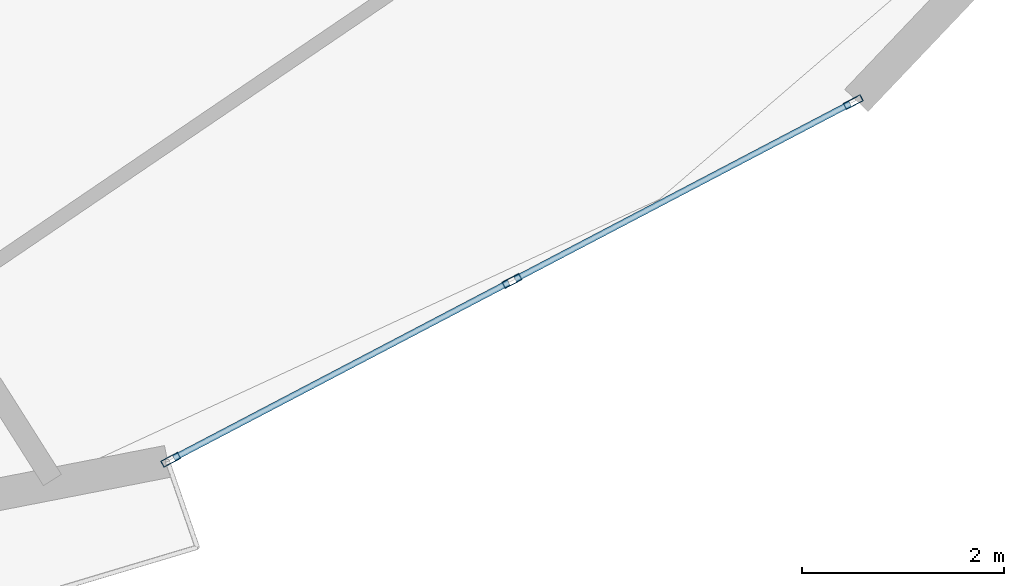
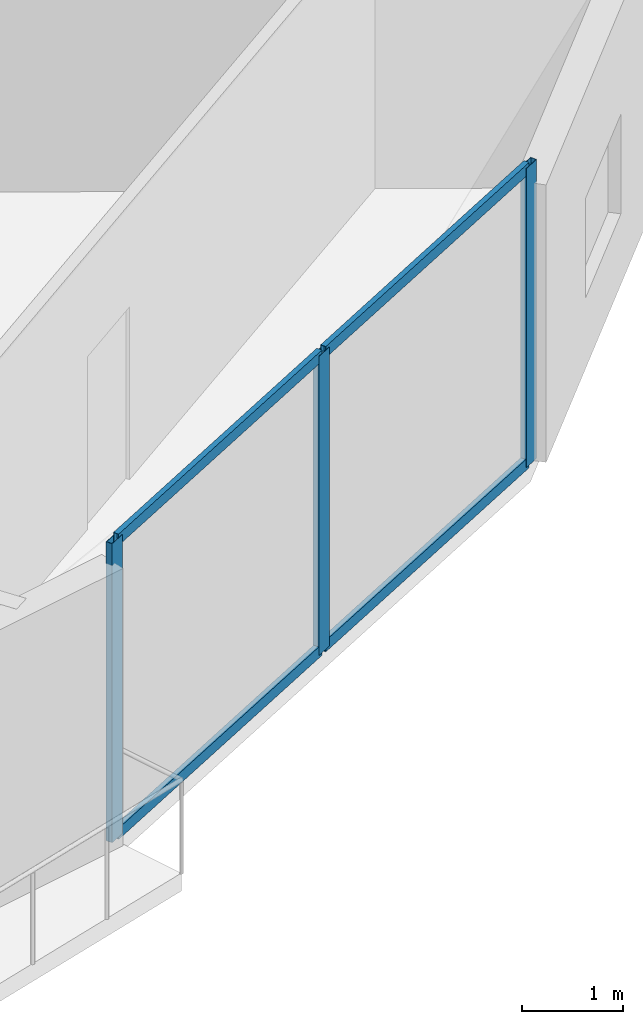
# One storey, part 8 of 20: 7 members, 1 element without a shape of its own.
"""IFC4 building model written with IfcOpenShell, lengths in metres."""

from ifc_helpers import new_model, si_unit, direction, frame, origin, origin_2d, place, context, subcontext, project, spatial, hollow_rectangle, extrude, source, transform, mapped, material, layer, layer_set, material_profile, profile_set, type_object, element, aggregate, save


model = new_model("IFC4")

# Units and contexts
model_context = context("Model", 3, precision=1e-05, world=origin(), true_north=direction((0.0, 1.0)))
body_context = subcontext(model_context, "Body", "Model", "MODEL_VIEW")
ifc_project = project(units=[si_unit("LENGTHUNIT", "METRE"), si_unit("AREAUNIT", "SQUARE_METRE"), si_unit("VOLUMEUNIT", "CUBIC_METRE"), si_unit("PLANEANGLEUNIT", "RADIAN"), si_unit("MASSUNIT", "GRAM", prefix="KILO")], contexts=[model_context])

# Site, building, storey
site_placement = place(None, origin())
site = spatial("IfcSite", under=ifc_project, at=site_placement, CompositionType="ELEMENT")
building_placement = place(site_placement, origin())
building = spatial("IfcBuilding", under=site, at=building_placement, Name="Solvirekh Grand Hotel", CompositionType="ELEMENT")
storey_placement = place(building_placement, frame((0.0, 0.0, 50.0)))
storey = spatial("IfcBuildingStorey", under=building, at=storey_placement, Name="L11", CompositionType="ELEMENT", Elevation=50.0)

# Curtain wall, members
ifc_material = material(Name="Anodized Bronze Aluminium 6063-T6", Category="aluminium")
ifc_layer = layer(ifc_material, 0.18994140625)
ifc_layer_set = layer_set([ifc_layer], Name="Anodized Bronze Aluminium 6063-T6")
curtain_wall_type = type_object("IfcCurtainWallType", Name="CW_Sys2_LowZoneFlushBronzeCW", PredefinedType="NOTDEFINED", material=ifc_layer_set)
curtain_wall_placement = place(storey_placement, origin())
curtain_wall = element("IfcCurtainWall", 1, at=curtain_wall_placement, inside=storey, type_object=curtain_wall_type, Name="L11 unitised bronze-glass curtain wall CW-L11-C18", PredefinedType="NOTDEFINED")
ifc_material_profile_1 = material_profile(ifc_material, hollow_rectangle(XDim=0.070068359375, YDim=0.18994140625, WallThickness=0.0048828125, at=origin_2d()), Name="ALU RHS 190X70X5")
ifc_profile_set_1 = profile_set([ifc_material_profile_1], Name="Anodized Bronze Aluminium 6063-T6")
member_type_1 = type_object("IfcMemberType", Name="CWMullion_Sys2", PredefinedType="MULLION", material=ifc_profile_set_1)
shared_shape_1 = source(origin(), body_context, "Body", "SweptSolid", [
    extrude(hollow_rectangle(XDim=0.070068359375, YDim=0.18994140625, WallThickness=0.0048828125, at=origin_2d()), origin(), (0.0, 0.0, 1.0), 3.60009765625),
])
member_1_placement = place(storey_placement, frame((13.177001953125, -20.5927734375, 0.0), z_axis=(0.0, 0.0, 1.0), x_axis=(-0.464108833066, 0.885778183898, 0.0)))
member_1 = element("IfcMember", 2, at=member_1_placement, type_object=member_type_1, Name="U02 mullion 1", PredefinedType="MULLION", context=body_context, shape_type="MappedRepresentation", body=[
    mapped(shared_shape_1, transform((0.0, 0.0, 0.0), x_axis=(1.0, 0.0, 0.0), y_axis=(0.0, 1.0, 0.0), z_axis=(0.0, 0.0, 1.0), scale=1.0)),
])
member_2_placement = place(storey_placement, frame((16.55859375, -18.821044921875, 0.0), z_axis=(0.0, 0.0, 1.0), x_axis=(-0.464108833066, 0.885778183898, 0.0)))
member_2 = element("IfcMember", 3, at=member_2_placement, type_object=member_type_1, Name="U02 mullion 2", PredefinedType="MULLION", context=body_context, shape_type="MappedRepresentation", body=[
    mapped(shared_shape_1, transform((0.0, 0.0, 0.0), x_axis=(1.0, 0.0, 0.0), y_axis=(0.0, 1.0, 0.0), z_axis=(0.0, 0.0, 1.0), scale=1.0)),
])
member_3_placement = place(storey_placement, frame((19.93994140625, -17.04931640625, 0.0), z_axis=(0.0, 0.0, 1.0), x_axis=(-0.464108833066, 0.885778183898, 0.0)))
member_3 = element("IfcMember", 4, at=member_3_placement, type_object=member_type_1, Name="U02 mullion 3", PredefinedType="MULLION", context=body_context, shape_type="MappedRepresentation", body=[
    mapped(shared_shape_1, transform((0.0, 0.0, 0.0), x_axis=(1.0, 0.0, 0.0), y_axis=(0.0, 1.0, 0.0), z_axis=(0.0, 0.0, 1.0), scale=1.0)),
])
ifc_material_profile_2 = material_profile(ifc_material, hollow_rectangle(XDim=0.06005859375, YDim=0.135009765625, WallThickness=0.00390625, at=origin_2d()), Name="ALU RHS 135X60X4")
ifc_profile_set_2 = profile_set([ifc_material_profile_2], Name="Anodized Bronze Aluminium 6063-T6")
member_type_2 = type_object("IfcMemberType", Name="CWTransom_Sys2", PredefinedType="USERDEFINED", material=ifc_profile_set_2)
shared_shape_2 = source(origin(), body_context, "Body", "SweptSolid", [
    extrude(hollow_rectangle(XDim=0.06005859375, YDim=0.135009765625, WallThickness=0.00390625, at=origin_2d()), origin(), (0.0, 0.0, 1.0), 3.747314453125),
])
member_4_placement = place(storey_placement, frame((16.589599609375, -18.8046875, 0.030029296875), z_axis=(0.88577031966, 0.464123842105, 0.0), x_axis=(-0.464123842105, 0.88577031966, 0.0)))
member_4 = element("IfcMember", 5, at=member_4_placement, type_object=member_type_2, Name="U02 transom 2.1", ObjectType="TRANSOM", PredefinedType="USERDEFINED", context=body_context, shape_type="MappedRepresentation", body=[
    mapped(shared_shape_2, transform((0.0, 0.0, 0.0), x_axis=(1.0, 0.0, 0.0), y_axis=(0.0, 1.0, 0.0), z_axis=(0.0, 0.0, 1.0), scale=1.0)),
])
member_5_placement = place(storey_placement, frame((16.589599609375, -18.8046875, 3.570068359375), z_axis=(0.88577031966, 0.464123842105, 0.0), x_axis=(-0.464123842105, 0.88577031966, 0.0)))
member_5 = element("IfcMember", 6, at=member_5_placement, type_object=member_type_2, Name="U02 transom 2.2", ObjectType="TRANSOM", PredefinedType="USERDEFINED", context=body_context, shape_type="MappedRepresentation", body=[
    mapped(shared_shape_2, transform((0.0, 0.0, 0.0), x_axis=(1.0, 0.0, 0.0), y_axis=(0.0, 1.0, 0.0), z_axis=(0.0, 0.0, 1.0), scale=1.0)),
])
shared_shape_3 = source(origin(), body_context, "Body", "SweptSolid", [
    extrude(hollow_rectangle(XDim=0.06005859375, YDim=0.135009765625, WallThickness=0.00390625, at=origin_2d()), origin(), (0.0, 0.0, 1.0), 3.74755859375),
])
member_6_placement = place(storey_placement, frame((13.2080078125, -20.576416015625, 0.030029296875), z_axis=(0.885784352324, 0.464097060084, 0.0), x_axis=(-0.464097060084, 0.885784352324, 0.0)))
member_6 = element("IfcMember", 7, at=member_6_placement, type_object=member_type_2, Name="U02 transom 1.1", ObjectType="TRANSOM", PredefinedType="USERDEFINED", context=body_context, shape_type="MappedRepresentation", body=[
    mapped(shared_shape_3, transform((0.0, 0.0, 0.0), x_axis=(1.0, 0.0, 0.0), y_axis=(0.0, 1.0, 0.0), z_axis=(0.0, 0.0, 1.0), scale=1.0)),
])
member_7_placement = place(storey_placement, frame((13.2080078125, -20.576416015625, 3.570068359375), z_axis=(0.885784352324, 0.464097060084, 0.0), x_axis=(-0.464097060084, 0.885784352324, 0.0)))
member_7 = element("IfcMember", 8, at=member_7_placement, type_object=member_type_2, Name="U02 transom 1.2", ObjectType="TRANSOM", PredefinedType="USERDEFINED", context=body_context, shape_type="MappedRepresentation", body=[
    mapped(shared_shape_3, transform((0.0, 0.0, 0.0), x_axis=(1.0, 0.0, 0.0), y_axis=(0.0, 1.0, 0.0), z_axis=(0.0, 0.0, 1.0), scale=1.0)),
])
aggregate(curtain_wall, [member_1, member_2, member_3, member_6, member_7, member_4, member_5])

save(model, "model.ifc")
